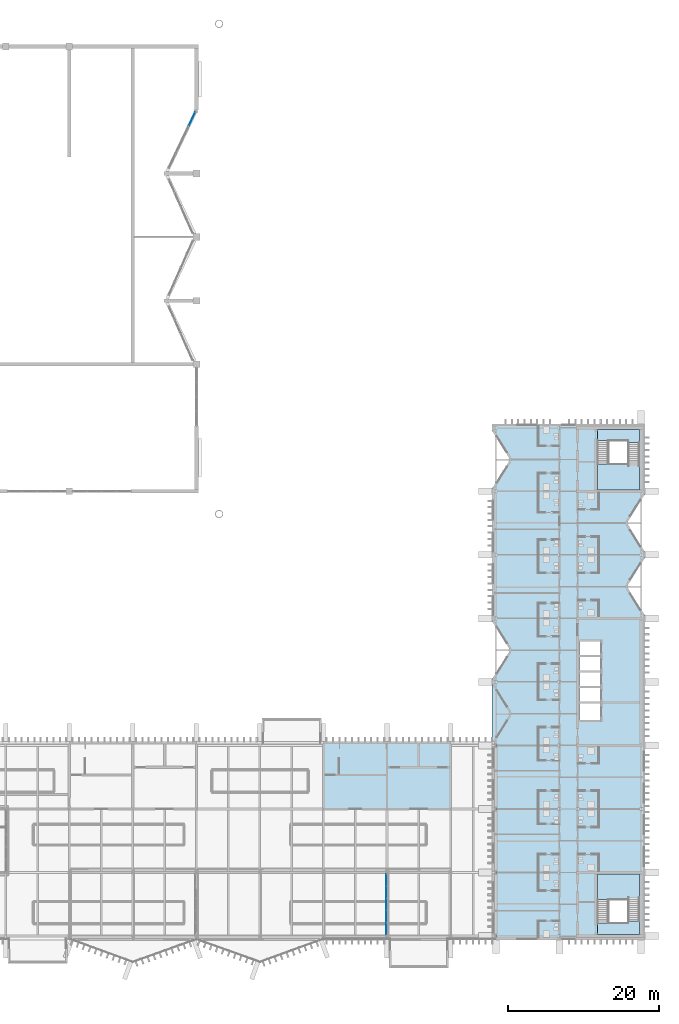
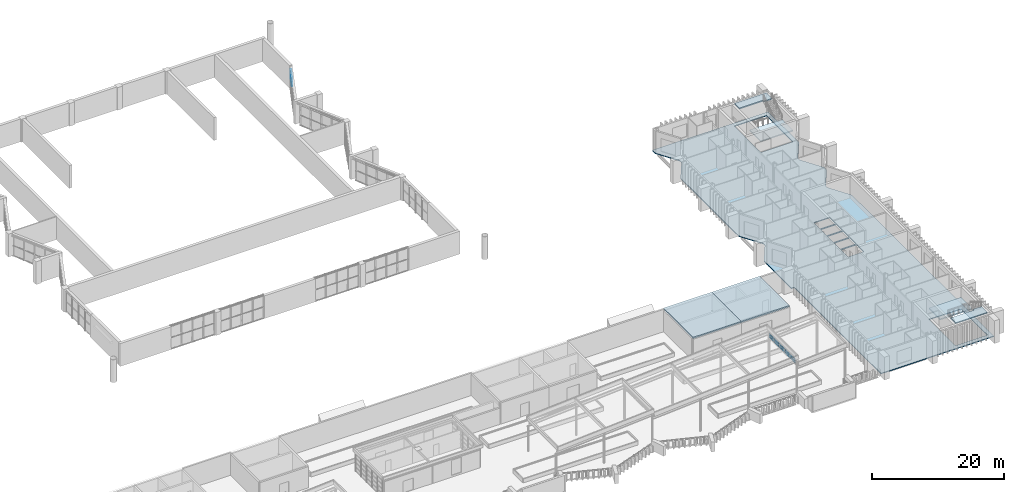
# One storey, part 31 of 51: 11 plates, 7 slabs, 4 elements without a shape of their own.
"""IFC4 building model written with IfcOpenShell, lengths in metres."""

from ifc_helpers import new_model, si_unit, direction, frame, origin, origin_2d, place, context, subcontext, project, spatial, polyline, rectangle, outline, extrude, material, layer, layer_set, type_object, element, aggregate, save


model = new_model("IFC4")

# Units and contexts
model_context = context("Model", 3, precision=1e-05, world=origin(), true_north=direction((0.0, 1.0)))
body_context = subcontext(model_context, "Body", "Model", "MODEL_VIEW")
ifc_project = project(units=[si_unit("LENGTHUNIT", "METRE"), si_unit("AREAUNIT", "SQUARE_METRE"), si_unit("VOLUMEUNIT", "CUBIC_METRE"), si_unit("PLANEANGLEUNIT", "RADIAN"), si_unit("MASSUNIT", "GRAM", prefix="KILO")], contexts=[model_context])

# Site, building, storey
site_placement = place(None, origin())
site = spatial("IfcSite", under=ifc_project, at=site_placement, CompositionType="ELEMENT")
building_placement = place(site_placement, origin())
building = spatial("IfcBuilding", under=site, at=building_placement, Name="Cresset Court Congress Hotel", CompositionType="ELEMENT")
storey_placement = place(building_placement, frame((0.0, 0.0, 18.60009765625)))
storey = spatial("IfcBuildingStorey", under=building, at=storey_placement, Name="L04", CompositionType="ELEMENT", Elevation=18.60009765625)

# Curtain wall, plates
ifc_material_1 = material(Name="Aluminium frame with double glazing", Category="aluminium")
ifc_layer_1 = layer(ifc_material_1, 0.199951171875)
ifc_layer_set_1 = layer_set([ifc_layer_1], Name="Glazed box curtain wall 1680 module")
curtain_wall_type_1 = type_object("IfcCurtainWallType", Name="Glazed box curtain wall 1680 module", PredefinedType="NOTDEFINED", material=ifc_layer_set_1)
curtain_wall_1_placement = place(storey_placement, origin())
curtain_wall_1 = element("IfcCurtainWall", 1, at=curtain_wall_1_placement, inside=storey, type_object=curtain_wall_type_1, Name="Roof light face 5", PredefinedType="NOTDEFINED")
ifc_material_2 = material(Name="Toughened double glazing", Category="glass")
ifc_layer_2 = layer(ifc_material_2, 0.028076171875)
ifc_layer_set_2 = layer_set([ifc_layer_2], Name="Box glass panel 28")
plate_type_1 = type_object("IfcPlateType", Name="Box glass panel 28", PredefinedType="CURTAIN_PANEL", material=ifc_layer_set_2)
plate_1_placement = place(storey_placement, frame((142.699951171875, 1.014892578125, 6.4599609375), z_axis=(0.0, 0.0, 1.0), x_axis=(0.0, 1.0, 0.0)))
plate_1 = element("IfcPlate", 2, at=plate_1_placement, type_object=plate_type_1, Name="B-X1 panel 1.1", PredefinedType="CURTAIN_PANEL", context=body_context, shape_type="SweptSolid", body=[
    extrude(rectangle(XDim=1.510009765625, YDim=0.028076171875, at=origin_2d()), origin(), (0.0, 0.0, 1.0), 0.39208984375),
])
plate_2_placement = place(storey_placement, frame((142.699951171875, 1.014892578125, 6.911865234375), z_axis=(0.0, 0.0, 1.0), x_axis=(0.0, 1.0, 0.0)))
plate_2 = element("IfcPlate", 3, at=plate_2_placement, type_object=plate_type_1, Name="B-X1 panel 1.2", PredefinedType="CURTAIN_PANEL", context=body_context, shape_type="SweptSolid", body=[
    extrude(rectangle(XDim=1.510009765625, YDim=0.028076171875, at=origin_2d()), origin(), (0.0, 0.0, 1.0), 0.39208984375),
])
plate_3_placement = place(storey_placement, frame((142.699951171875, 2.60009765625, 6.4599609375), z_axis=(0.0, 0.0, 1.0), x_axis=(0.0, 1.0, 0.0)))
plate_3 = element("IfcPlate", 4, at=plate_3_placement, type_object=plate_type_1, Name="B-X1 panel 2.1", PredefinedType="CURTAIN_PANEL", context=body_context, shape_type="SweptSolid", body=[
    extrude(rectangle(XDim=1.5400390625, YDim=0.028076171875, at=origin_2d()), origin(), (0.0, 0.0, 1.0), 0.39208984375),
])
plate_4_placement = place(storey_placement, frame((142.699951171875, 2.60009765625, 6.911865234375), z_axis=(0.0, 0.0, 1.0), x_axis=(0.0, 1.0, 0.0)))
plate_4 = element("IfcPlate", 5, at=plate_4_placement, type_object=plate_type_1, Name="B-X1 panel 2.2", PredefinedType="CURTAIN_PANEL", context=body_context, shape_type="SweptSolid", body=[
    extrude(rectangle(XDim=1.5400390625, YDim=0.028076171875, at=origin_2d()), origin(), (0.0, 0.0, 1.0), 0.39208984375),
])
plate_5_placement = place(storey_placement, frame((142.699951171875, 4.199951171875, 6.4599609375), z_axis=(0.0, 0.0, 1.0), x_axis=(0.0, 1.0, 0.0)))
plate_5 = element("IfcPlate", 6, at=plate_5_placement, type_object=plate_type_1, Name="B-X1 panel 3.1", PredefinedType="CURTAIN_PANEL", context=body_context, shape_type="SweptSolid", body=[
    extrude(rectangle(XDim=1.5400390625, YDim=0.028076171875, at=origin_2d()), origin(), (0.0, 0.0, 1.0), 0.39208984375),
])
plate_6_placement = place(storey_placement, frame((142.699951171875, 4.199951171875, 6.911865234375), z_axis=(0.0, 0.0, 1.0), x_axis=(0.0, 1.0, 0.0)))
plate_6 = element("IfcPlate", 7, at=plate_6_placement, type_object=plate_type_1, Name="B-X1 panel 3.2", PredefinedType="CURTAIN_PANEL", context=body_context, shape_type="SweptSolid", body=[
    extrude(rectangle(XDim=1.5400390625, YDim=0.028076171875, at=origin_2d()), origin(), (0.0, 0.0, 1.0), 0.39208984375),
])
plate_7_placement = place(storey_placement, frame((142.699951171875, 5.800048828125, 6.4599609375), z_axis=(0.0, 0.0, 1.0), x_axis=(0.0, 1.0, 0.0)))
plate_7 = element("IfcPlate", 8, at=plate_7_placement, type_object=plate_type_1, Name="B-X1 panel 4.1", PredefinedType="CURTAIN_PANEL", context=body_context, shape_type="SweptSolid", body=[
    extrude(rectangle(XDim=1.5400390625, YDim=0.028076171875, at=origin_2d()), origin(), (0.0, 0.0, 1.0), 0.39208984375),
])
plate_8_placement = place(storey_placement, frame((142.699951171875, 5.800048828125, 6.911865234375), z_axis=(0.0, 0.0, 1.0), x_axis=(0.0, 1.0, 0.0)))
plate_8 = element("IfcPlate", 9, at=plate_8_placement, type_object=plate_type_1, Name="B-X1 panel 4.2", PredefinedType="CURTAIN_PANEL", context=body_context, shape_type="SweptSolid", body=[
    extrude(rectangle(XDim=1.5400390625, YDim=0.028076171875, at=origin_2d()), origin(), (0.0, 0.0, 1.0), 0.39208984375),
])
plate_9_placement = place(storey_placement, frame((142.699951171875, 7.385009765625, 6.4599609375), z_axis=(0.0, 0.0, 1.0), x_axis=(0.0, 1.0, 0.0)))
plate_9 = element("IfcPlate", 10, at=plate_9_placement, type_object=plate_type_1, Name="B-X1 panel 5.1", PredefinedType="CURTAIN_PANEL", context=body_context, shape_type="SweptSolid", body=[
    extrude(rectangle(XDim=1.510009765625, YDim=0.028076171875, at=origin_2d()), origin(), (0.0, 0.0, 1.0), 0.39208984375),
])
plate_10_placement = place(storey_placement, frame((142.699951171875, 7.385009765625, 6.911865234375), z_axis=(0.0, 0.0, 1.0), x_axis=(0.0, 1.0, 0.0)))
plate_10 = element("IfcPlate", 11, at=plate_10_placement, type_object=plate_type_1, Name="B-X1 panel 5.2", PredefinedType="CURTAIN_PANEL", context=body_context, shape_type="SweptSolid", body=[
    extrude(rectangle(XDim=1.510009765625, YDim=0.028076171875, at=origin_2d()), origin(), (0.0, 0.0, 1.0), 0.39208984375),
])
aggregate(curtain_wall_1, [plate_1, plate_2, plate_3, plate_4, plate_5, plate_6, plate_7, plate_8, plate_9, plate_10])

# Slab
ifc_material_3 = material(Name="Concrete C35", Category="concrete")
ifc_layer_3 = layer(ifc_material_3, 0.14990234375)
ifc_layer_set_3 = layer_set([ifc_layer_3], Name="Composite floor slab 150")
slab_type_1 = type_object("IfcSlabType", Name="Composite floor slab 150", PredefinedType="FLOOR", material=ifc_layer_set_3)
slab_1_placement = place(storey_placement, frame((0.0, 0.0, -0.150146484375)))
element("IfcSlab", 12, at=slab_1_placement, inside=storey, type_object=slab_type_1, Name="A.slab.L04", PredefinedType="FLOOR", context=body_context, shape_type="SweptSolid", body=[
    extrude(outline(polyline([(157.199951171875, -0.5), (176.89990234375, -0.5), (176.89990234375, 42.39013671875), (174.665283203125, 45.97509765625), (174.665283203125, 46.425048828125), (176.89990234375, 50.010009765625), (176.89990234375, 50.7900390625), (174.665283203125, 54.375), (174.665283203125, 54.824951171875), (176.89990234375, 58.409912109375), (176.89990234375, 67.699951171875), (156.699951171875, 67.699951171875), (156.699951171875, 66.809814453125), (158.934814453125, 63.22509765625), (158.934814453125, 62.77490234375), (156.699951171875, 59.190185546875), (156.699951171875, 41.60986328125), (158.934814453125, 38.02490234375), (158.934814453125, 37.574951171875), (156.699951171875, 33.989990234375), (156.699951171875, 25.699951171875), (157.199951171875, 25.699951171875), (157.199951171875, -0.5)]), holes=[polyline([(170.60009765625, 0.199951171875), (176.199951171875, 0.199951171875), (176.199951171875, 8.199951171875), (170.60009765625, 8.199951171875), (170.60009765625, 0.199951171875)]), polyline([(170.60009765625, 59.0), (176.199951171875, 59.0), (176.199951171875, 67.0), (170.60009765625, 67.0), (170.60009765625, 59.0)]), polyline([(168.25, 28.550048828125), (171.0, 28.550048828125), (171.0, 30.75), (168.25, 30.75), (168.25, 28.550048828125)]), polyline([(168.25, 31.0), (171.0, 31.0), (171.0, 32.800048828125), (168.25, 32.800048828125), (168.25, 31.0)]), polyline([(168.25, 33.050048828125), (171.0, 33.050048828125), (171.0, 34.85009765625), (168.25, 34.85009765625), (168.25, 33.050048828125)]), polyline([(168.25, 35.10009765625), (171.0, 35.10009765625), (171.0, 36.89990234375), (168.25, 36.89990234375), (168.25, 35.10009765625)]), polyline([(168.25, 37.14990234375), (171.0, 37.14990234375), (171.0, 38.949951171875), (168.25, 38.949951171875), (168.25, 37.14990234375)])]), origin(), (0.0, 0.0, 1.0), 0.150146484375),
])

# Curtain wall, plate
ifc_material_4 = material(Name="Aluminium and glass", Category="aluminium")
ifc_layer_4 = layer(ifc_material_4, 0.199951171875)
ifc_layer_set_4 = layer_set([ifc_layer_4], Name="Clerestory curtain wall 1925 module")
curtain_wall_type_2 = type_object("IfcCurtainWallType", Name="Clerestory curtain wall 1925 module", PredefinedType="NOTDEFINED", material=ifc_layer_set_4)
curtain_wall_2_placement = place(storey_placement, origin())
curtain_wall_2 = element("IfcCurtainWall", 13, at=curtain_wall_2_placement, inside=storey, type_object=curtain_wall_type_2, Name="Clerestory CX-04E5", PredefinedType="NOTDEFINED")
ifc_material_5 = material(Name="Laminated glass", Category="glass")
ifc_layer_5 = layer(ifc_material_5, 0.028076171875)
ifc_layer_set_5 = layer_set([ifc_layer_5], Name="Curtain wall glass panel 28")
plate_type_2 = type_object("IfcPlateType", Name="Curtain wall glass panel 28", PredefinedType="CURTAIN_PANEL", material=ifc_layer_set_5)
plate_11_placement = place(storey_placement, frame((117.033935546875, 108.011474609375, 1.90087890625), z_axis=(0.0, 0.0, 1.0), x_axis=(0.429933528299, 0.90286054363, 0.0)))
plate_11 = element("IfcPlate", 14, at=plate_11_placement, type_object=plate_type_2, Name="C-X5 panel 4.2", PredefinedType="CURTAIN_PANEL", context=body_context, shape_type="SweptSolid", body=[
    extrude(rectangle(XDim=1.958984375, YDim=0.028076171875, at=origin_2d()), origin(), (0.0, 0.0, 1.0), 1.781005859375),
])
aggregate(curtain_wall_2, [plate_11])

# Slabs
ifc_material_6 = material(Name="Concrete C35", Category="concrete")
ifc_layer_6 = layer(ifc_material_6, 0.25)
ifc_layer_set_6 = layer_set([ifc_layer_6], Name="Head house roof slab 250")
slab_type_2 = type_object("IfcSlabType", Name="Head house roof slab 250", PredefinedType="ROOF", material=ifc_layer_set_6)
slab_2_placement = place(storey_placement, frame((0.0, 0.0, 3.889892578125)))
element("IfcSlab", 15, at=slab_2_placement, inside=storey, type_object=slab_type_2, Name="Head house roof LC-B3", PredefinedType="ROOF", context=body_context, shape_type="SweptSolid", body=[
    extrude(outline(polyline([(142.800048828125, 16.800048828125), (151.199951171875, 16.800048828125), (151.199951171875, 25.699951171875), (142.800048828125, 25.699951171875), (142.800048828125, 16.800048828125)])), origin(), (0.0, 0.0, 1.0), 0.25),
])
slab_3_placement = place(storey_placement, frame((0.0, 0.0, 3.889892578125)))
element("IfcSlab", 16, at=slab_3_placement, inside=storey, type_object=slab_type_2, Name="Head house roof ST-B5", PredefinedType="ROOF", context=body_context, shape_type="SweptSolid", body=[
    extrude(outline(polyline([(134.39990234375, 16.800048828125), (142.800048828125, 16.800048828125), (142.800048828125, 25.699951171875), (134.39990234375, 25.699951171875), (134.39990234375, 16.800048828125)])), origin(), (0.0, 0.0, 1.0), 0.25),
])

# Stair, slabs
ifc_material_7 = material(Name="Concrete C40", Category="concrete")
stair_type = type_object("IfcStairType", Name="Concrete dog-leg stair 5600", PredefinedType="HALF_TURN_STAIR", material=ifc_material_7)
stair_1_placement = place(storey_placement, origin())
stair_1 = element("IfcStair", 17, at=stair_1_placement, inside=storey, type_object=stair_type, Name="Stair A1 L04", PredefinedType="HALF_TURN_STAIR")
ifc_material_8 = material(Name="Concrete C40", Category="concrete")
ifc_layer_7 = layer(ifc_material_8, 0.199951171875)
ifc_layer_set_7 = layer_set([ifc_layer_7], Name="Stair landing 200")
slab_type_3 = type_object("IfcSlabType", Name="Stair landing 200", PredefinedType="LANDING", material=ifc_layer_set_7)
slab_4_placement = place(storey_placement, frame((0.0, 0.0, 1.89990234375)))
slab_4 = element("IfcSlab", 18, at=slab_4_placement, type_object=slab_type_3, Name="A-ST1 landing 1", PredefinedType="LANDING", context=body_context, shape_type="SweptSolid", body=[
    extrude(outline(polyline([(170.60009765625, 4.819091796875), (176.199951171875, 4.819091796875), (176.199951171875, 8.199951171875), (170.60009765625, 8.199951171875), (170.60009765625, 4.819091796875)])), origin(), (0.0, 0.0, 1.0), 0.199951171875),
])
slab_5_placement = place(storey_placement, frame((0.0, 0.0, 4.0)))
slab_5 = element("IfcSlab", 19, at=slab_5_placement, type_object=slab_type_3, Name="A-ST1 landing 2", PredefinedType="LANDING", context=body_context, shape_type="SweptSolid", body=[
    extrude(outline(polyline([(170.60009765625, 0.199951171875), (176.199951171875, 0.199951171875), (176.199951171875, 1.960693359375), (174.699951171875, 1.960693359375), (174.699951171875, 1.70068359375), (170.60009765625, 1.70068359375), (170.60009765625, 0.199951171875)])), origin(), (0.0, 0.0, 1.0), 0.199951171875),
])
aggregate(stair_1, [slab_4, slab_5])

stair_2_placement = place(storey_placement, origin())
stair_2 = element("IfcStair", 20, at=stair_2_placement, inside=storey, type_object=stair_type, Name="Stair A2 L04", PredefinedType="HALF_TURN_STAIR")
slab_6_placement = place(storey_placement, frame((0.0, 0.0, 1.89990234375)))
slab_6 = element("IfcSlab", 21, at=slab_6_placement, type_object=slab_type_3, Name="A-ST1 landing 1", PredefinedType="LANDING", context=body_context, shape_type="SweptSolid", body=[
    extrude(outline(polyline([(170.60009765625, 62.380859375), (176.199951171875, 62.380859375), (176.199951171875, 59.0), (170.60009765625, 59.0), (170.60009765625, 62.380859375)])), origin(), (0.0, 0.0, 1.0), 0.199951171875),
])
slab_7_placement = place(storey_placement, frame((0.0, 0.0, 4.0)))
slab_7 = element("IfcSlab", 22, at=slab_7_placement, type_object=slab_type_3, Name="A-ST1 landing 2", PredefinedType="LANDING", context=body_context, shape_type="SweptSolid", body=[
    extrude(outline(polyline([(170.60009765625, 67.0), (176.199951171875, 67.0), (176.199951171875, 65.2392578125), (174.699951171875, 65.2392578125), (174.699951171875, 65.499267578125), (170.60009765625, 65.499267578125), (170.60009765625, 67.0)])), origin(), (0.0, 0.0, 1.0), 0.199951171875),
])
aggregate(stair_2, [slab_6, slab_7])

save(model, "model.ifc")
